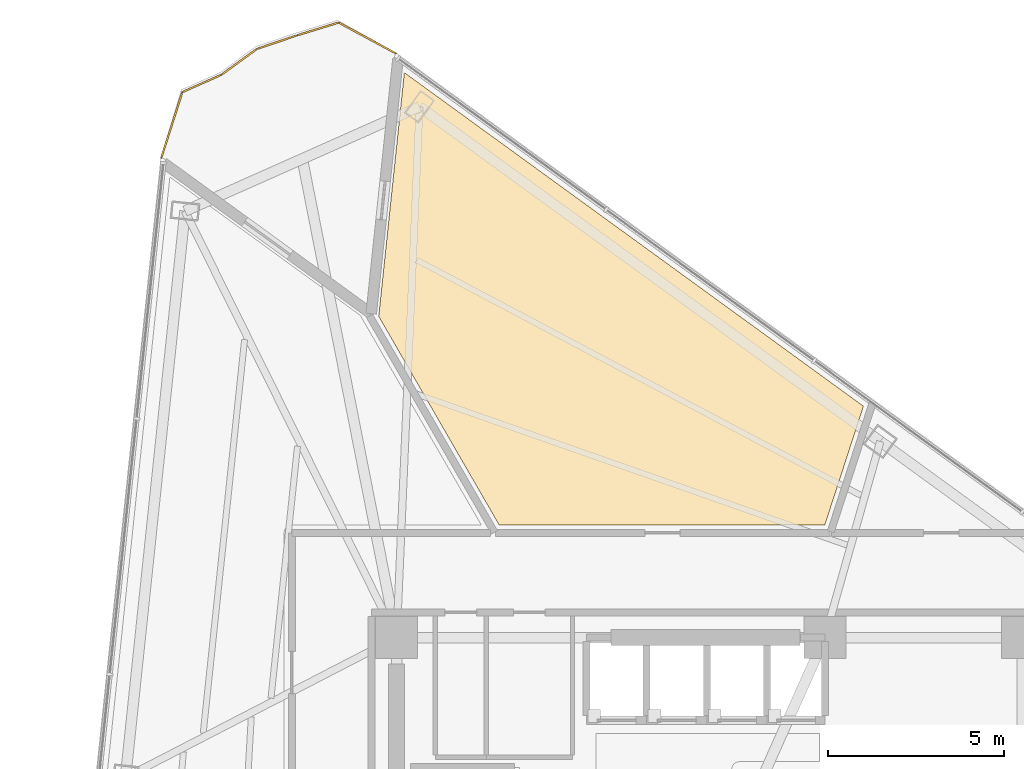
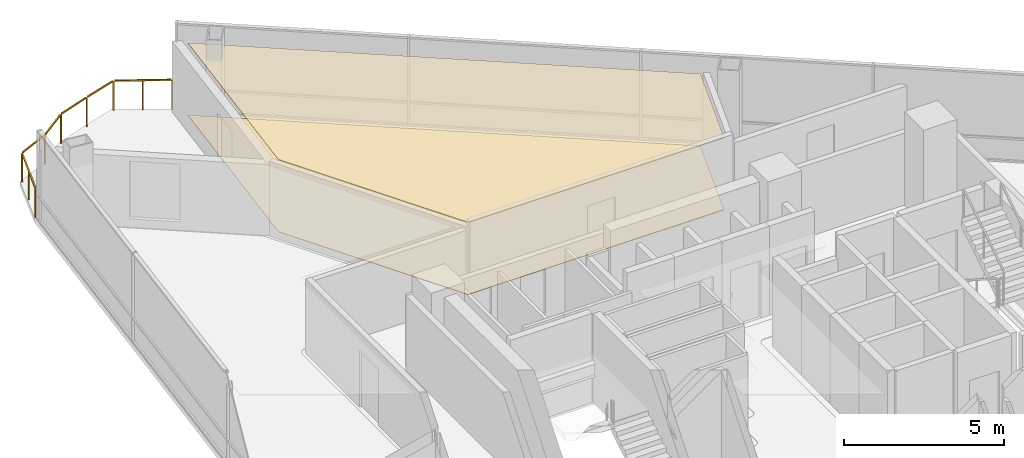
# One storey, part 19 of 19: 2 coverings, 1 railing.
"""IFC4 building model written with IfcOpenShell, lengths in metres."""

from ifc_helpers import new_model, si_unit, direction, frame, origin, origin_2d, place, context, subcontext, project, spatial, polyline, rectangle, outline, extrude, material, layer, layer_set, type_object, element, save


model = new_model("IFC4")

# Units and contexts
model_context = context("Model", 3, precision=1e-05, world=origin(), true_north=direction((0.0, 1.0)))
body_context = subcontext(model_context, "Body", "Model", "MODEL_VIEW")
ifc_project = project(units=[si_unit("LENGTHUNIT", "METRE"), si_unit("AREAUNIT", "SQUARE_METRE"), si_unit("VOLUMEUNIT", "CUBIC_METRE"), si_unit("PLANEANGLEUNIT", "RADIAN"), si_unit("MASSUNIT", "GRAM", prefix="KILO")], contexts=[model_context])

# Site, building, storey
site_placement = place(None, origin())
site = spatial("IfcSite", under=ifc_project, at=site_placement, CompositionType="ELEMENT")
building_placement = place(site_placement, origin())
building = spatial("IfcBuilding", under=site, at=building_placement, Name="Tharavind Bronze Gate", CompositionType="ELEMENT")
storey_placement = place(building_placement, frame((0.0, 0.0, 126.85009765625)))
storey = spatial("IfcBuildingStorey", under=building, at=storey_placement, Name="L32", CompositionType="ELEMENT", Elevation=126.85009765625)

# Coverings
ifc_material_1 = material(Name="Engineered Oak & Carpet Tile", Category="wood")
ifc_layer_1 = layer(ifc_material_1, 0.02490234375)
ifc_layer_set_1 = layer_set([ifc_layer_1], Name="Engineered Oak & Carpet Tile")
covering_type_1 = type_object("IfcCoveringType", Name="ENGINEERED TIMBER FLOORING", PredefinedType="FLOORING", material=ifc_layer_set_1)
covering_1_placement = place(storey_placement, origin())
element("IfcCovering", 1, at=covering_1_placement, inside=storey, type_object=covering_type_1, Name="L32-RM-02 floor finish", PredefinedType="FLOORING", context=body_context, shape_type="SweptSolid", body=[
    extrude(outline(polyline([(-5.981201171875, 10.800048828125), (3.27783203125, 10.800048828125), (4.376953125, 14.1826171875), (-8.6796875, 23.6689453125), (-9.40283203125, 16.78857421875), (-9.404296875, 16.777587890625), (-9.404296875, 16.777099609375), (-9.408935546875, 16.755615234375), (-9.41259765625, 16.743408203125), (-5.981201171875, 10.800048828125)])), origin(), (0.0, 0.0, 1.0), 0.02490234375),
])
ifc_material_2 = material(Name="Acoustic Gypsum Board", Category="gypsum")
ifc_layer_2 = layer(ifc_material_2, 0.030029296875)
ifc_layer_set_2 = layer_set([ifc_layer_2], Name="Acoustic Gypsum Board")
covering_type_2 = type_object("IfcCoveringType", Name="GYPSUM SUSPENDED CEILING", PredefinedType="CEILING", material=ifc_layer_set_2)
covering_2_placement = place(storey_placement, frame((0.0, 0.0, 2.75)))
element("IfcCovering", 2, at=covering_2_placement, inside=storey, type_object=covering_type_2, Name="L32-RM-02 suspended ceiling", PredefinedType="CEILING", context=body_context, shape_type="SweptSolid", body=[
    extrude(outline(polyline([(-5.981201171875, 10.800048828125), (3.27783203125, 10.800048828125), (4.376953125, 14.1826171875), (-8.6796875, 23.6689453125), (-9.40283203125, 16.78857421875), (-9.404296875, 16.777587890625), (-9.404296875, 16.777099609375), (-9.408935546875, 16.755615234375), (-9.41259765625, 16.743408203125), (-5.981201171875, 10.800048828125)])), origin(), (0.0, 0.0, 1.0), 0.034912109375),
])

# Railing
ifc_material_3 = material(Name="Bronze Cap & Laminated Glass", Category="glass")
railing_type = type_object("IfcRailingType", Name="TERRACE GLASS GUARD RAILING 1150", PredefinedType="GUARDRAIL", material=ifc_material_3)
railing_placement = place(storey_placement, frame((-15.5927734375, 21.247802734375, 0.0)))
element("IfcRailing", 3, at=railing_placement, inside=storey, type_object=railing_type, Name="L32 tree balcony guard railing", PredefinedType="GUARDRAIL", context=body_context, shape_type="SweptSolid", body=[
    extrude(rectangle(XDim=0.048095703125, YDim=0.048095703125, at=origin_2d()), frame((0.009765625, 0.030517578125, 1.1259765625), z_axis=(0.305964803424, 0.952042824176, 0.0), x_axis=(-0.952042824176, 0.305964803424, 0.0)), (0.0, 0.0, 1.0), 1.89501953125),
    extrude(rectangle(XDim=0.048095703125, YDim=0.048095703125, at=origin_2d()), frame((0.628662109375, 1.8779296875, 1.1259765625), z_axis=(0.913480304847, 0.406882947119, 0.0), x_axis=(-0.406882947119, 0.913480304847, 0.0)), (0.0, 0.0, 1.0), 1.15283203125),
    extrude(rectangle(XDim=0.048095703125, YDim=0.048095703125, at=origin_2d()), frame((1.73681640625, 2.37890625, 1.1259765625), z_axis=(0.808328551704, 0.588731647272, 0.0), x_axis=(-0.588731647272, 0.808328551704, 0.0)), (0.0, 0.0, 1.0), 1.18017578125),
    extrude(rectangle(XDim=0.048095703125, YDim=0.048095703125, at=origin_2d()), frame((2.746826171875, 3.102783203125, 1.1259765625), z_axis=(0.947113235221, 0.32089954763, 0.0), x_axis=(-0.32089954763, 0.947113235221, 0.0)), (0.0, 0.0, 1.0), 1.157958984375),
    extrude(rectangle(XDim=0.048095703125, YDim=0.048095703125, at=origin_2d()), frame((3.904296875, 3.493896484375, 1.1259765625), z_axis=(0.955925323722, 0.293609903556, 0.0), x_axis=(-0.293609903556, 0.955925323722, 0.0)), (0.0, 0.0, 1.0), 1.16162109375),
    extrude(rectangle(XDim=0.048095703125, YDim=0.048095703125, at=origin_2d()), frame((5.073486328125, 3.829345703125, 1.1259765625), z_axis=(0.880237226365, -0.474533903236, 0.0), x_axis=(0.474533903236, 0.880237226365, 0.0)), (0.0, 0.0, 1.0), 1.780517578125),
    extrude(rectangle(XDim=0.0400390625, YDim=0.0400390625, at=origin_2d()), origin(), (0.0, 0.0, 1.0), 1.097900390625),
    extrude(rectangle(XDim=0.0400390625, YDim=0.0400390625, at=origin_2d()), frame((0.2998046875, 0.9326171875, 0.0)), (0.0, 0.0, 1.0), 1.097900390625),
    extrude(rectangle(XDim=0.0400390625, YDim=0.0400390625, at=origin_2d()), frame((0.599365234375, 1.864990234375, 0.0)), (0.0, 0.0, 1.0), 1.097900390625),
    extrude(rectangle(XDim=0.0400390625, YDim=0.0400390625, at=origin_2d()), frame((1.7109375, 2.360107421875, 0.0)), (0.0, 0.0, 1.0), 1.097900390625),
    extrude(rectangle(XDim=0.0400390625, YDim=0.0400390625, at=origin_2d()), frame((2.716552734375, 3.092529296875, 0.0)), (0.0, 0.0, 1.0), 1.097900390625),
    extrude(rectangle(XDim=0.0400390625, YDim=0.0400390625, at=origin_2d()), frame((3.873779296875, 3.484619140625, 0.0)), (0.0, 0.0, 1.0), 1.097900390625),
    extrude(rectangle(XDim=0.0400390625, YDim=0.0400390625, at=origin_2d()), frame((5.04541015625, 3.844482421875, 0.0)), (0.0, 0.0, 1.0), 1.097900390625),
    extrude(rectangle(XDim=0.0400390625, YDim=0.0400390625, at=origin_2d()), frame((5.857177734375, 3.40673828125, 0.0)), (0.0, 0.0, 1.0), 1.097900390625),
    extrude(rectangle(XDim=0.0400390625, YDim=0.0400390625, at=origin_2d()), frame((6.6689453125, 2.96923828125, 0.0)), (0.0, 0.0, 1.0), 1.097900390625),
])

save(model, "model.ifc")
